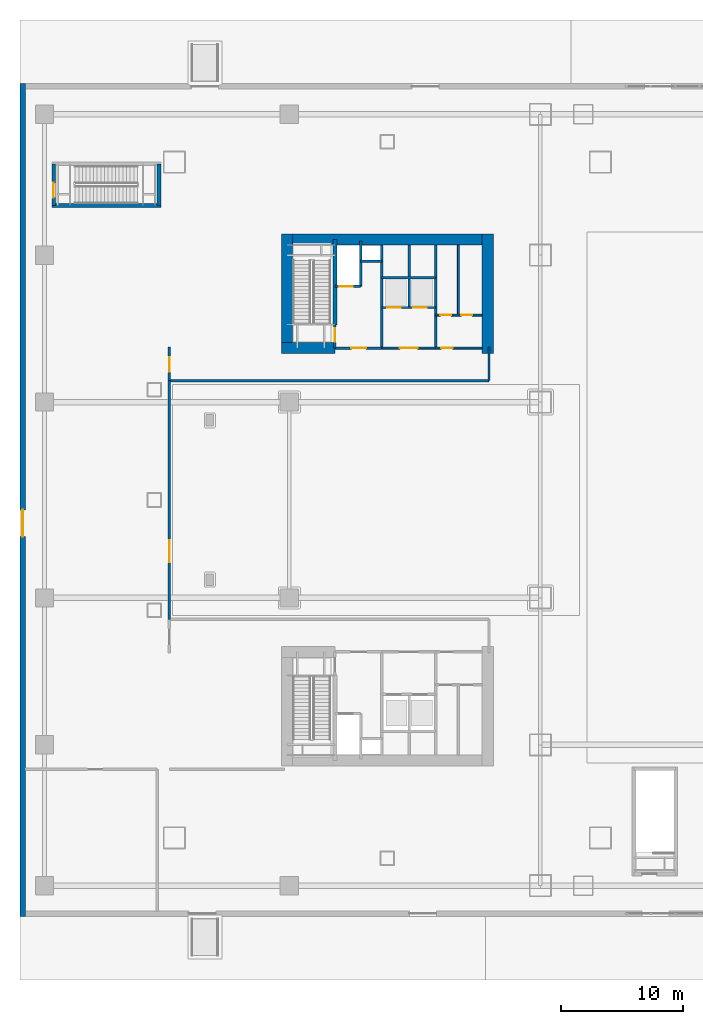
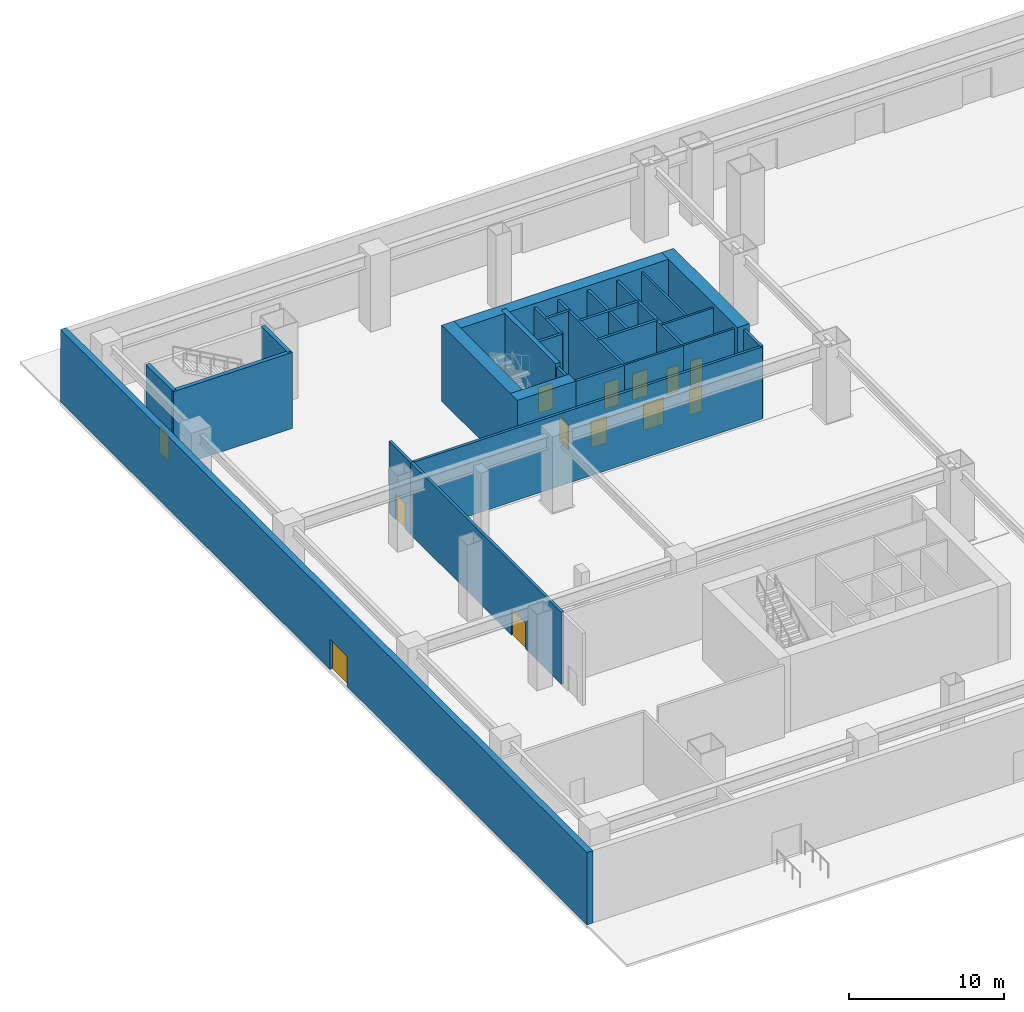
# One storey, part 15 of 31: 27 walls, 13 doors, 13 openings.
"""IFC4 building model written with IfcOpenShell, lengths in metres."""

from ifc_helpers import new_model, si_unit, direction, frame, frame_2d, origin, place, context, subcontext, project, spatial, rectangle, extrude, material, layer, layer_set, type_object, element, fill, save


model = new_model("IFC4")

# Units and contexts
model_context = context("Model", 3, precision=1e-05, world=origin(), true_north=direction((0.0, 1.0)))
body_context = subcontext(model_context, "Body", "Model", "MODEL_VIEW")
ifc_project = project(units=[si_unit("LENGTHUNIT", "METRE"), si_unit("AREAUNIT", "SQUARE_METRE"), si_unit("VOLUMEUNIT", "CUBIC_METRE"), si_unit("PLANEANGLEUNIT", "RADIAN"), si_unit("MASSUNIT", "GRAM", prefix="KILO")], contexts=[model_context])

# Site, building, storey
site_placement = place(None, origin())
site = spatial("IfcSite", under=ifc_project, at=site_placement, CompositionType="ELEMENT")
building_placement = place(site_placement, origin())
building = spatial("IfcBuilding", under=site, at=building_placement, Name="Qiaolan Cultural Towers", CompositionType="ELEMENT")
storey_placement = place(building_placement, origin())
storey = spatial("IfcBuildingStorey", under=building, at=storey_placement, Name="L00", CompositionType="ELEMENT", Elevation=0.0)

# Walls
ifc_material_1 = material(Name="Concrete C50", Category="concrete")
ifc_layer_1 = layer(ifc_material_1, 0.35009765625)
ifc_layer_set_1 = layer_set([ifc_layer_1], Name="Concrete C50")
wall_type_1 = type_object("IfcWallType", Name="WL-CORE-350", PredefinedType="SHEAR", material=ifc_layer_set_1)
wall_1_placement = place(storey_placement, frame((25.719970703125, 48.300048828125, 0.0), z_axis=(0.0, 0.0, 1.0), x_axis=(0.0, 1.0, 0.0)))
element("IfcWall", 1, at=wall_1_placement, inside=storey, type_object=wall_type_1, Name="L00 T1-CN Stair Core Dividing Web", PredefinedType="SHEAR", context=body_context, shape_type="SweptSolid", body=[
    extrude(rectangle(XDim=6.97998046875, YDim=0.35009765625, at=frame_2d((3.489990234375, 0.0))), origin(), (0.0, 0.0, 1.0), 6.0),
])
wall_2_placement = place(storey_placement, frame((2.60009765625, 58.050048828125, 0.0), z_axis=(0.0, 0.0, 1.0), x_axis=(1.0, 0.0, 0.0)))
element("IfcWall", 2, at=wall_2_placement, inside=storey, type_object=wall_type_1, Name="L00 STP1 Stair Shaft Wall S", PredefinedType="SHEAR", context=body_context, shape_type="SweptSolid", body=[
    extrude(rectangle(XDim=8.89990234375, YDim=0.300048828125, at=frame_2d((4.449951171875, 0.0))), origin(), (0.0, 0.0, 1.0), 6.0),
])
wall_3_placement = place(storey_placement, frame((11.35009765625, 58.050048828125, 0.0), z_axis=(0.0, 0.0, 1.0), x_axis=(0.0, 1.0, 0.0)))
element("IfcWall", 3, at=wall_3_placement, inside=storey, type_object=wall_type_1, Name="L00 STP1 Stair Shaft Wall E", PredefinedType="SHEAR", context=body_context, shape_type="SweptSolid", body=[
    extrude(rectangle(XDim=3.39990234375, YDim=0.300048828125, at=frame_2d((1.699951171875, 0.0))), origin(), (0.0, 0.0, 1.0), 6.0),
])

# Wall, opening, door
wall_4_placement = place(storey_placement, frame((2.75, 58.050048828125, 0.0), z_axis=(0.0, 0.0, 1.0), x_axis=(0.0, 1.0, 0.0)))
wall_4 = element("IfcWall", 4, at=wall_4_placement, inside=storey, type_object=wall_type_1, Name="L00 STP1 Stair Shaft Wall W", PredefinedType="SHEAR", context=body_context, shape_type="SweptSolid", body=[
    extrude(rectangle(XDim=3.39990234375, YDim=0.300048828125, at=frame_2d((1.699951171875, 0.0))), origin(), (0.0, 0.0, 1.0), 6.0),
])
opening_1_placement = place(wall_4_placement, frame((0.64990234375, 0.0, 0.0)))
opening_1 = element("IfcOpeningElement", 5, at=opening_1_placement, cuts=wall_4, Name="Opening FD-03", PredefinedType="OPENING", context=body_context, shape_type="SweptSolid", body=[
    extrude(rectangle(XDim=1.199951171875, YDim=2.050048828125, at=frame_2d((0.60009765625, 1.02490234375))), frame((0.0, 0.159912109375, 0.0), z_axis=(0.0, -1.0, 0.0), x_axis=(1.0, 0.0, 0.0)), (0.0, 0.0, 1.0), 0.320068359375),
])
ifc_material_2 = material(Name="Galvanized Steel Smokeproof Lobby Fire Door", Category="steel")
door_type_1 = type_object("IfcDoorType", Name="DR-FD90-1200", OperationType="NOTDEFINED", PredefinedType="DOOR", material=ifc_material_2)
door_1_placement = place(opening_1_placement, origin())
door_1 = element("IfcDoor", 6, at=door_1_placement, inside=storey, type_object=door_type_1, Name="L00 Exit Stair ST-P1 Fire Door", OperationType="SINGLE_SWING_LEFT", OverallHeight=2.050048828125, OverallWidth=1.199951171875, PredefinedType="DOOR", context=body_context, shape_type="SweptSolid", body=[
    extrude(rectangle(XDim=1.199951171875, YDim=2.050048828125, at=frame_2d((0.60009765625, 1.02490234375))), frame((0.0, 0.02490234375, 0.0), z_axis=(0.0, -1.0, 0.0), x_axis=(1.0, 0.0, 0.0)), (0.0, 0.0, 1.0), 0.050048828125),
])
fill(opening_1, door_1)

# Walls
ifc_material_3 = material(Name="Concrete C60", Category="concrete")
ifc_layer_2 = layer(ifc_material_3, 0.89990234375)
ifc_layer_set_2 = layer_set([ifc_layer_2], Name="Concrete C60")
wall_type_2 = type_object("IfcWallType", Name="WL-CORE-900", PredefinedType="SHEAR", material=ifc_layer_set_2)
wall_5_placement = place(storey_placement, frame((21.35009765625, 55.280029296875, 0.0), z_axis=(0.0, 0.0, 1.0), x_axis=(1.0, 0.0, 0.0)))
element("IfcWall", 7, at=wall_5_placement, inside=storey, type_object=wall_type_2, Name="L00 T1-CN Outer Core Shear Wall", PredefinedType="SHEAR", context=body_context, shape_type="SweptSolid", body=[
    extrude(rectangle(XDim=17.2998046875, YDim=0.89990234375, at=frame_2d((8.64990234375, 0.0))), origin(), (0.0, 0.0, 1.0), 6.0),
])
for number, where, z_axis, x_axis, name in (
    (8, (21.800048828125, 45.949951171875, 0.0), (0.0, 0.0, 1.0), (0.0, 1.0, 0.0), "L00 T1-CN West Core Shear Wall"),
    (9, (38.199951171875, 45.949951171875, 0.0), (0.0, 0.0, 1.0), (0.0, 1.0, 0.0), "L00 T1-CN East Core Shear Wall"),
):
    element("IfcWall", number, at=place(storey_placement, frame(where, z_axis=z_axis, x_axis=x_axis)), inside=storey, type_object=wall_type_2, Name=name, PredefinedType="SHEAR", context=body_context, shape_type="SweptSolid", body=[
        extrude(rectangle(XDim=9.780029296875, YDim=0.89990234375, at=frame_2d((4.89013671875, 0.0))), origin(), (0.0, 0.0, 1.0), 6.0),
    ])
wall_6_placement = place(storey_placement, frame((21.35009765625, 46.39990234375, 0.0), z_axis=(0.0, 0.0, 1.0), x_axis=(1.0, 0.0, 0.0)))
element("IfcWall", 10, at=wall_6_placement, inside=storey, type_object=wall_type_2, Name="L00 T1-CN Stair Front Shear Wall", PredefinedType="SHEAR", context=body_context, shape_type="SweptSolid", body=[
    extrude(rectangle(XDim=4.369873046875, YDim=0.89990234375, at=frame_2d((2.18505859375, 0.0))), origin(), (0.0, 0.0, 1.0), 6.0),
])

# Wall, opening, door
ifc_material_4 = material(Name="Precast Concrete C50 Bush-Hammered Granite Pier", Category="masonry")
ifc_layer_3 = layer(ifc_material_4, 0.449951171875)
ifc_layer_set_3 = layer_set([ifc_layer_3], Name="Precast Concrete C50 Bush-Hammered Granite Pier")
wall_type_3 = type_object("IfcWallType", Name="WL-EXT-POD-450", PredefinedType="SOLIDWALL", material=ifc_layer_set_3)
wall_7_placement = place(storey_placement, frame((0.22509765625, 0.0, 0.0), z_axis=(0.0, 0.0, 1.0), x_axis=(0.0, 1.0, 0.0)))
wall_7 = element("IfcWall", 11, at=wall_7_placement, inside=storey, type_object=wall_type_3, Name="L00 Podium Precast Facade Wall WEST", PredefinedType="SOLIDWALL", context=body_context, shape_type="SweptSolid", body=[
    extrude(rectangle(XDim=68.0, YDim=0.449951171875, at=frame_2d((34.0, 0.0))), origin(), (0.0, 0.0, 1.0), 5.699951171875),
])
opening_2_placement = place(wall_7_placement, frame((31.0, 0.0, 0.0)))
opening_2 = element("IfcOpeningElement", 12, at=opening_2_placement, cuts=wall_7, Name="Opening EX-15", PredefinedType="OPENING", context=body_context, shape_type="SweptSolid", body=[
    extrude(rectangle(XDim=2.199951171875, YDim=2.39990234375, at=frame_2d((1.10009765625, 1.199951171875))), frame((0.0, 0.23486328125, 0.0), z_axis=(0.0, -1.0, 0.0), x_axis=(1.0, 0.0, 0.0)), (0.0, 0.0, 1.0), 0.469970703125),
])
ifc_material_5 = material(Name="Anodized Aluminium Framed Tempered Glass Exit Door", Category="aluminium")
door_type_2 = type_object("IfcDoorType", Name="DR-EXIT-2200", OperationType="NOTDEFINED", PredefinedType="DOOR", material=ifc_material_5)
door_2_placement = place(opening_2_placement, origin())
door_2 = element("IfcDoor", 13, at=door_2_placement, inside=storey, type_object=door_type_2, Name="West Plaza Main Entrance Exit Door EX-15", OperationType="SINGLE_SWING_LEFT", OverallHeight=2.39990234375, OverallWidth=2.199951171875, PredefinedType="DOOR", context=body_context, shape_type="SweptSolid", body=[
    extrude(rectangle(XDim=2.199951171875, YDim=2.39990234375, at=frame_2d((1.10009765625, 1.199951171875))), frame((0.0, 0.02490234375, 0.0), z_axis=(0.0, -1.0, 0.0), x_axis=(1.0, 0.0, 0.0)), (0.0, 0.0, 1.0), 0.050048828125),
])
fill(opening_2, door_2)

ifc_material_6 = material(Name="Concrete C35 Fire Wall", Category="concrete")
ifc_layer_4 = layer(ifc_material_6, 0.199951171875)
ifc_layer_set_4 = layer_set([ifc_layer_4], Name="Concrete C35 Fire Wall")
wall_type_4 = type_object("IfcWallType", Name="WL-FIRE-200", PredefinedType="PARTITIONING", material=ifc_layer_set_4)
wall_8_placement = place(storey_placement, frame((25.719970703125, 46.39990234375, 0.0), z_axis=(0.0, 0.0, 1.0), x_axis=(0.0, 1.0, 0.0)))
wall_8 = element("IfcWall", 14, at=wall_8_placement, inside=storey, type_object=wall_type_4, Name="L00 T1-CN Smokeproof Stair Entry Wall", PredefinedType="PARTITIONING", context=body_context, shape_type="SweptSolid", body=[
    extrude(rectangle(XDim=1.900146484375, YDim=0.199951171875, at=frame_2d((0.9501953125, 0.0))), origin(), (0.0, 0.0, 1.0), 5.68505859375),
])
opening_3_placement = place(wall_8_placement, frame((0.52001953125, 0.0, 0.0)))
opening_3 = element("IfcOpeningElement", 15, at=opening_3_placement, cuts=wall_8, Name="Opening FD-04", PredefinedType="OPENING", context=body_context, shape_type="SweptSolid", body=[
    extrude(rectangle(XDim=1.10009765625, YDim=2.050048828125, at=frame_2d((0.550048828125, 1.02490234375))), frame((0.0, 0.10986328125, 0.0), z_axis=(0.0, -1.0, 0.0), x_axis=(1.0, 0.0, 0.0)), (0.0, 0.0, 1.0), 0.219970703125),
])
ifc_material_7 = material(Name="Galvanized Steel Command Fire Door", Category="steel")
door_type_3 = type_object("IfcDoorType", Name="DR-FD90-1100", OperationType="NOTDEFINED", PredefinedType="DOOR", material=ifc_material_7)
door_3_placement = place(opening_3_placement, origin())
door_3 = element("IfcDoor", 16, at=door_3_placement, inside=storey, type_object=door_type_3, Name="L00 ST-W2 Smokeproof Stair Fire Door", OperationType="SINGLE_SWING_LEFT", OverallHeight=2.050048828125, OverallWidth=1.10009765625, PredefinedType="DOOR", context=body_context, shape_type="SweptSolid", body=[
    extrude(rectangle(XDim=1.10009765625, YDim=2.050048828125, at=frame_2d((0.550048828125, 1.02490234375))), frame((0.0, 0.02490234375, 0.0), z_axis=(0.0, -1.0, 0.0), x_axis=(1.0, 0.0, 0.0)), (0.0, 0.0, 1.0), 0.050048828125),
])
fill(opening_3, door_3)

# Wall
wall_9_placement = place(storey_placement, frame((29.550048828125, 46.39990234375, 0.0), z_axis=(0.0, 0.0, 1.0), x_axis=(0.0, 1.0, 0.0)))
element("IfcWall", 17, at=wall_9_placement, inside=storey, type_object=wall_type_4, Name="L00 T1-CN Firefighting Zone Wall", PredefinedType="PARTITIONING", context=body_context, shape_type="SweptSolid", body=[
    extrude(rectangle(XDim=8.43017578125, YDim=0.199951171875, at=frame_2d((4.215087890625, 0.0))), origin(), (0.0, 0.0, 1.0), 5.68505859375),
])

# Wall, opening, door
wall_10_placement = place(storey_placement, frame((25.719970703125, 46.39990234375, 0.0), z_axis=(0.0, 0.0, 1.0), x_axis=(1.0, 0.0, 0.0)))
wall_10 = element("IfcWall", 18, at=wall_10_placement, inside=storey, type_object=wall_type_4, Name="L00 T1-CN Firefighting Lobby Front Wall", PredefinedType="PARTITIONING", context=body_context, shape_type="SweptSolid", body=[
    extrude(rectangle(XDim=3.830078125, YDim=0.199951171875, at=frame_2d((1.9150390625, 0.0))), origin(), (0.0, 0.0, 1.0), 5.68505859375),
])
opening_4_placement = place(wall_10_placement, frame((1.35009765625, 0.0, 0.0)))
opening_4 = element("IfcOpeningElement", 19, at=opening_4_placement, cuts=wall_10, Name="Opening FD-03", PredefinedType="OPENING", context=body_context, shape_type="SweptSolid", body=[
    extrude(rectangle(XDim=1.199951171875, YDim=2.050048828125, at=frame_2d((0.60009765625, 1.02490234375))), frame((0.0, 0.10986328125, 0.0), z_axis=(0.0, -1.0, 0.0), x_axis=(1.0, 0.0, 0.0)), (0.0, 0.0, 1.0), 0.219970703125),
])
door_4_placement = place(opening_4_placement, origin())
door_4 = element("IfcDoor", 20, at=door_4_placement, inside=storey, type_object=door_type_1, Name="L00 FFL-W2 Firefighting Lobby Fire Door", OperationType="SINGLE_SWING_LEFT", OverallHeight=2.050048828125, OverallWidth=1.199951171875, PredefinedType="DOOR", context=body_context, shape_type="SweptSolid", body=[
    extrude(rectangle(XDim=1.199951171875, YDim=2.050048828125, at=frame_2d((0.60009765625, 1.02490234375))), frame((0.0, 0.02490234375, 0.0), z_axis=(0.0, -1.0, 0.0), x_axis=(1.0, 0.0, 0.0)), (0.0, 0.0, 1.0), 0.050048828125),
])
fill(opening_4, door_4)

wall_11_placement = place(storey_placement, frame((25.719970703125, 51.449951171875, 0.0), z_axis=(0.0, 0.0, 1.0), x_axis=(1.0, 0.0, 0.0)))
wall_11 = element("IfcWall", 21, at=wall_11_placement, inside=storey, type_object=wall_type_4, Name="L00 T1-CN Firefighting Shaft Front Wall", PredefinedType="PARTITIONING", context=body_context, shape_type="SweptSolid", body=[
    extrude(rectangle(XDim=2.10009765625, YDim=0.199951171875, at=frame_2d((1.050048828125, 0.0))), origin(), (0.0, 0.0, 1.0), 5.68505859375),
])
opening_5_placement = place(wall_11_placement, frame((0.35009765625, 0.0, 0.0)))
opening_5 = element("IfcOpeningElement", 22, at=opening_5_placement, cuts=wall_11, Name="Opening LD-01", PredefinedType="OPENING", context=body_context, shape_type="SweptSolid", body=[
    extrude(rectangle(XDim=1.10009765625, YDim=2.050048828125, at=frame_2d((0.550048828125, 1.02490234375))), frame((0.0, 0.10986328125, 0.0), z_axis=(0.0, -1.0, 0.0), x_axis=(1.0, 0.0, 0.0)), (0.0, 0.0, 1.0), 0.219970703125),
])
ifc_material_8 = material(Name="Brushed Stainless Steel S30408 Centre-Parting Lift Landing Door", Category="steel")
door_type_4 = type_object("IfcDoorType", Name="DR-LIFT-1100", OperationType="NOTDEFINED", PredefinedType="DOOR", material=ifc_material_8)
door_5_placement = place(opening_5_placement, origin())
door_5 = element("IfcDoor", 23, at=door_5_placement, inside=storey, type_object=door_type_4, Name="L00 FFL-W2 Firefighting Lift Landing Door", OperationType="DOUBLE_DOOR_SLIDING", OverallHeight=2.050048828125, OverallWidth=1.10009765625, PredefinedType="DOOR", context=body_context, shape_type="SweptSolid", body=[
    extrude(rectangle(XDim=1.10009765625, YDim=2.050048828125, at=frame_2d((0.550048828125, 1.02490234375))), frame((0.0, 0.02490234375, 0.0), z_axis=(0.0, -1.0, 0.0), x_axis=(1.0, 0.0, 0.0)), (0.0, 0.0, 1.0), 0.050048828125),
])
fill(opening_5, door_5)

# Walls
wall_12_placement = place(storey_placement, frame((27.820068359375, 51.449951171875, 0.0), z_axis=(0.0, 0.0, 1.0), x_axis=(0.0, 1.0, 0.0)))
element("IfcWall", 24, at=wall_12_placement, inside=storey, type_object=wall_type_4, Name="L00 T1-CN Firefighting Hoistway East Wall", PredefinedType="PARTITIONING", context=body_context, shape_type="SweptSolid", body=[
    extrude(rectangle(XDim=3.699951171875, YDim=0.199951171875, at=frame_2d((1.85009765625, 0.0))), origin(), (0.0, 0.0, 1.0), 5.68505859375),
])
wall_13_placement = place(storey_placement, frame((27.820068359375, 53.47998046875, 0.0), z_axis=(0.0, 0.0, 1.0), x_axis=(1.0, 0.0, 0.0)))
element("IfcWall", 25, at=wall_13_placement, inside=storey, type_object=wall_type_4, Name="L00 T1-CN Pressurization Shaft Front Wall", PredefinedType="PARTITIONING", context=body_context, shape_type="SweptSolid", body=[
    extrude(rectangle(XDim=1.72998046875, YDim=0.199951171875, at=frame_2d((0.864990234375, 0.0))), origin(), (0.0, 0.0, 1.0), 5.68505859375),
])
wall_14_placement = place(storey_placement, frame((33.949951171875, 46.39990234375, 0.0), z_axis=(0.0, 0.0, 1.0), x_axis=(0.0, 1.0, 0.0)))
element("IfcWall", 26, at=wall_14_placement, inside=storey, type_object=wall_type_4, Name="L00 T1-CN Lift Core East Wall", PredefinedType="PARTITIONING", context=body_context, shape_type="SweptSolid", body=[
    extrude(rectangle(XDim=8.43017578125, YDim=0.199951171875, at=frame_2d((4.215087890625, 0.0))), origin(), (0.0, 0.0, 1.0), 5.68505859375),
])

# Wall, openings, doors
wall_15_placement = place(storey_placement, frame((29.550048828125, 49.719970703125, 0.0), z_axis=(0.0, 0.0, 1.0), x_axis=(1.0, 0.0, 0.0)))
wall_15 = element("IfcWall", 27, at=wall_15_placement, inside=storey, type_object=wall_type_4, Name="L00 T1-CN Passenger Lift Shaft Front Wall", PredefinedType="PARTITIONING", context=body_context, shape_type="SweptSolid", body=[
    extrude(rectangle(XDim=4.39990234375, YDim=0.199951171875, at=frame_2d((2.199951171875, 0.0))), origin(), (0.0, 0.0, 1.0), 5.68505859375),
])
opening_6_placement = place(wall_15_placement, frame((0.449951171875, 0.0, 0.0)))
opening_6 = element("IfcOpeningElement", 28, at=opening_6_placement, cuts=wall_15, Name="Opening LD-01", PredefinedType="OPENING", context=body_context, shape_type="SweptSolid", body=[
    extrude(rectangle(XDim=1.10009765625, YDim=2.050048828125, at=frame_2d((0.550048828125, 1.02490234375))), frame((0.0, 0.10986328125, 0.0), z_axis=(0.0, -1.0, 0.0), x_axis=(1.0, 0.0, 0.0)), (0.0, 0.0, 1.0), 0.219970703125),
])
opening_7_placement = place(wall_15_placement, frame((2.550048828125, 0.0, 0.0)))
opening_7 = element("IfcOpeningElement", 29, at=opening_7_placement, cuts=wall_15, Name="Opening LD-01", PredefinedType="OPENING", context=body_context, shape_type="SweptSolid", body=[
    extrude(rectangle(XDim=1.10009765625, YDim=2.050048828125, at=frame_2d((0.550048828125, 1.02490234375))), frame((0.0, 0.10986328125, 0.0), z_axis=(0.0, -1.0, 0.0), x_axis=(1.0, 0.0, 0.0)), (0.0, 0.0, 1.0), 0.219970703125),
])
door_6_placement = place(opening_6_placement, origin())
door_6 = element("IfcDoor", 30, at=door_6_placement, inside=storey, type_object=door_type_4, Name="L00 Passenger Lift 1 Landing Door", OperationType="DOUBLE_DOOR_SLIDING", OverallHeight=2.050048828125, OverallWidth=1.10009765625, PredefinedType="DOOR", context=body_context, shape_type="SweptSolid", body=[
    extrude(rectangle(XDim=1.10009765625, YDim=2.050048828125, at=frame_2d((0.550048828125, 1.02490234375))), frame((0.0, 0.02490234375, 0.0), z_axis=(0.0, -1.0, 0.0), x_axis=(1.0, 0.0, 0.0)), (0.0, 0.0, 1.0), 0.050048828125),
])
fill(opening_6, door_6)
door_7_placement = place(opening_7_placement, origin())
door_7 = element("IfcDoor", 31, at=door_7_placement, inside=storey, type_object=door_type_4, Name="L00 Passenger Lift 2 Landing Door", OperationType="DOUBLE_DOOR_SLIDING", OverallHeight=2.050048828125, OverallWidth=1.10009765625, PredefinedType="DOOR", context=body_context, shape_type="SweptSolid", body=[
    extrude(rectangle(XDim=1.10009765625, YDim=2.050048828125, at=frame_2d((0.550048828125, 1.02490234375))), frame((0.0, 0.02490234375, 0.0), z_axis=(0.0, -1.0, 0.0), x_axis=(1.0, 0.0, 0.0)), (0.0, 0.0, 1.0), 0.050048828125),
])
fill(opening_7, door_7)

# Walls
wall_16_placement = place(storey_placement, frame((31.780029296875, 49.719970703125, 0.0), z_axis=(0.0, 0.0, 1.0), x_axis=(0.0, 1.0, 0.0)))
element("IfcWall", 32, at=wall_16_placement, inside=storey, type_object=wall_type_4, Name="L00 T1-CN Lift Shaft Divider Wall", PredefinedType="PARTITIONING", context=body_context, shape_type="SweptSolid", body=[
    extrude(rectangle(XDim=5.110107421875, YDim=0.199951171875, at=frame_2d((2.55517578125, 0.0))), origin(), (0.0, 0.0, 1.0), 5.68505859375),
])
wall_17_placement = place(storey_placement, frame((29.550048828125, 52.14990234375, 0.0), z_axis=(0.0, 0.0, 1.0), x_axis=(1.0, 0.0, 0.0)))
element("IfcWall", 33, at=wall_17_placement, inside=storey, type_object=wall_type_4, Name="L00 T1-CN Passenger Lift Shaft Back Wall", PredefinedType="PARTITIONING", context=body_context, shape_type="SweptSolid", body=[
    extrude(rectangle(XDim=4.39990234375, YDim=0.199951171875, at=frame_2d((2.199951171875, 0.0))), origin(), (0.0, 0.0, 1.0), 5.68505859375),
])

# Wall, opening, door
wall_18_placement = place(storey_placement, frame((12.199951171875, 43.75, 0.0), z_axis=(0.0, 0.0, 1.0), x_axis=(0.0, 1.0, 0.0)))
wall_18 = element("IfcWall", 34, at=wall_18_placement, inside=storey, type_object=wall_type_4, Name="L00 Podium Partition L00-W2-PASW", PredefinedType="PARTITIONING", context=body_context, shape_type="SweptSolid", body=[
    extrude(rectangle(XDim=2.75, YDim=0.199951171875, at=frame_2d((1.375, 0.0))), origin(), (0.0, 0.0, 1.0), 5.68505859375),
])
opening_8_placement = place(wall_18_placement, frame((0.719970703125, 0.0, 0.0)))
opening_8 = element("IfcOpeningElement", 35, at=opening_8_placement, cuts=wall_18, Name="Opening FD-03", PredefinedType="OPENING", context=body_context, shape_type="SweptSolid", body=[
    extrude(rectangle(XDim=1.199951171875, YDim=2.050048828125, at=frame_2d((0.60009765625, 1.02490234375))), frame((0.0, 0.10986328125, 0.0), z_axis=(0.0, -1.0, 0.0), x_axis=(1.0, 0.0, 0.0)), (0.0, 0.0, 1.0), 0.219970703125),
])
door_8_placement = place(opening_8_placement, origin())
door_8 = element("IfcDoor", 36, at=door_8_placement, inside=storey, type_object=door_type_1, Name="ST-W2 Protected Exit Passageway Fire Door", OperationType="SINGLE_SWING_RIGHT", OverallHeight=2.050048828125, OverallWidth=1.199951171875, PredefinedType="DOOR", context=body_context, shape_type="SweptSolid", body=[
    extrude(rectangle(XDim=1.199951171875, YDim=2.050048828125, at=frame_2d((0.60009765625, 1.02490234375))), frame((0.0, 0.02490234375, 0.0), z_axis=(0.0, -1.0, 0.0), x_axis=(1.0, 0.0, 0.0)), (0.0, 0.0, 1.0), 0.050048828125),
])
fill(opening_8, door_8)

# Walls
wall_19_placement = place(storey_placement, frame((12.199951171875, 43.75, 0.0), z_axis=(0.0, 0.0, 1.0), x_axis=(1.0, 0.0, 0.0)))
element("IfcWall", 37, at=wall_19_placement, inside=storey, type_object=wall_type_4, Name="L00 Podium Partition L00-W2-PASS", PredefinedType="PARTITIONING", context=body_context, shape_type="SweptSolid", body=[
    extrude(rectangle(XDim=26.10009765625, YDim=0.199951171875, at=frame_2d((13.050048828125, 0.0))), origin(), (0.0, 0.0, 1.0), 5.68505859375),
])
wall_20_placement = place(storey_placement, frame((38.300048828125, 43.75, 0.0), z_axis=(0.0, 0.0, 1.0), x_axis=(0.0, 1.0, 0.0)))
element("IfcWall", 38, at=wall_20_placement, inside=storey, type_object=wall_type_4, Name="L00 Podium Partition L00-W2-PASE", PredefinedType="PARTITIONING", context=body_context, shape_type="SweptSolid", body=[
    extrude(rectangle(XDim=2.75, YDim=0.199951171875, at=frame_2d((1.375, 0.0))), origin(), (0.0, 0.0, 1.0), 5.68505859375),
])

# Wall, opening, door
wall_21_placement = place(storey_placement, frame((12.199951171875, 24.25, 0.0), z_axis=(0.0, 0.0, 1.0), x_axis=(0.0, 1.0, 0.0)))
wall_21 = element("IfcWall", 39, at=wall_21_placement, inside=storey, type_object=wall_type_4, Name="L00 Podium Partition L00-WLOB-W", PredefinedType="PARTITIONING", context=body_context, shape_type="SweptSolid", body=[
    extrude(rectangle(XDim=19.5, YDim=0.199951171875, at=frame_2d((9.75, 0.0))), origin(), (0.0, 0.0, 1.0), 5.68505859375),
])
opening_9_placement = place(wall_21_placement, frame((4.64990234375, 0.0, 0.0)))
opening_9 = element("IfcOpeningElement", 40, at=opening_9_placement, cuts=wall_21, Name="Opening FD-01", PredefinedType="OPENING", context=body_context, shape_type="SweptSolid", body=[
    extrude(rectangle(XDim=1.800048828125, YDim=2.050048828125, at=frame_2d((0.89990234375, 1.02490234375))), frame((0.0, 0.10986328125, 0.0), z_axis=(0.0, -1.0, 0.0), x_axis=(1.0, 0.0, 0.0)), (0.0, 0.0, 1.0), 0.219970703125),
])
ifc_material_9 = material(Name="Galvanized Steel Acoustic Fire Door", Category="steel")
door_type_5 = type_object("IfcDoorType", Name="DR-FD90-1800", OperationType="NOTDEFINED", PredefinedType="DOOR", material=ifc_material_9)
door_9_placement = place(opening_9_placement, origin())
door_9 = element("IfcDoor", 41, at=door_9_placement, inside=storey, type_object=door_type_5, Name="West Tower Lobby Main West Exit Door", OperationType="SINGLE_SWING_LEFT", OverallHeight=2.050048828125, OverallWidth=1.800048828125, PredefinedType="DOOR", context=body_context, shape_type="SweptSolid", body=[
    extrude(rectangle(XDim=1.800048828125, YDim=2.050048828125, at=frame_2d((0.89990234375, 1.02490234375))), frame((0.0, 0.02490234375, 0.0), z_axis=(0.0, -1.0, 0.0), x_axis=(1.0, 0.0, 0.0)), (0.0, 0.0, 1.0), 0.050048828125),
])
fill(opening_9, door_9)

ifc_material_10 = material(Name="Autoclaved Aerated Concrete Block B06", Category="concrete")
ifc_layer_5 = layer(ifc_material_10, 0.14990234375)
ifc_layer_set_5 = layer_set([ifc_layer_5], Name="Autoclaved Aerated Concrete Block B06")
wall_type_5 = type_object("IfcWallType", Name="WL-PART-150", PredefinedType="PARTITIONING", material=ifc_layer_set_5)
wall_22_placement = place(storey_placement, frame((29.550048828125, 46.39990234375, 0.0), z_axis=(0.0, 0.0, 1.0), x_axis=(1.0, 0.0, 0.0)))
wall_22 = element("IfcWall", 42, at=wall_22_placement, inside=storey, type_object=wall_type_5, Name="L00 T1-CN Passenger Lift Lobby Front Wall", PredefinedType="PARTITIONING", context=body_context, shape_type="SweptSolid", body=[
    extrude(rectangle(XDim=4.39990234375, YDim=0.14990234375, at=frame_2d((2.199951171875, 0.0))), origin(), (0.0, 0.0, 1.0), 5.68505859375),
])
opening_10_placement = place(wall_22_placement, frame((1.449951171875, 0.0, 0.0)))
opening_10 = element("IfcOpeningElement", 43, at=opening_10_placement, cuts=wall_22, Name="Opening FD-05", PredefinedType="OPENING", context=body_context, shape_type="SweptSolid", body=[
    extrude(rectangle(XDim=1.5, YDim=2.050048828125, at=frame_2d((0.75, 1.02490234375))), frame((0.0, 0.0849609375, 0.0), z_axis=(0.0, -1.0, 0.0), x_axis=(1.0, 0.0, 0.0)), (0.0, 0.0, 1.0), 0.169921875),
])
ifc_material_11 = material(Name="Painted Steel Lift Lobby Fire Door", Category="steel")
door_type_6 = type_object("IfcDoorType", Name="DR-FD60-1500", OperationType="NOTDEFINED", PredefinedType="DOOR", material=ifc_material_11)
door_10_placement = place(opening_10_placement, origin())
door_10 = element("IfcDoor", 44, at=door_10_placement, inside=storey, type_object=door_type_6, Name="L00 Passenger Lift Lobby Entrance", OperationType="SINGLE_SWING_LEFT", OverallHeight=2.050048828125, OverallWidth=1.5, PredefinedType="DOOR", context=body_context, shape_type="SweptSolid", body=[
    extrude(rectangle(XDim=1.5, YDim=2.050048828125, at=frame_2d((0.75, 1.02490234375))), frame((0.0, 0.02490234375, 0.0), z_axis=(0.0, -1.0, 0.0), x_axis=(1.0, 0.0, 0.0)), (0.0, 0.0, 1.0), 0.050048828125),
])
fill(opening_10, door_10)

wall_23_placement = place(storey_placement, frame((33.949951171875, 46.39990234375, 0.0), z_axis=(0.0, 0.0, 1.0), x_axis=(1.0, 0.0, 0.0)))
wall_23 = element("IfcWall", 45, at=wall_23_placement, inside=storey, type_object=wall_type_5, Name="L00 T1-CN Sanitary Core Front Wall", PredefinedType="PARTITIONING", context=body_context, shape_type="SweptSolid", body=[
    extrude(rectangle(XDim=3.800048828125, YDim=0.14990234375, at=frame_2d((1.89990234375, 0.0))), origin(), (0.0, 0.0, 1.0), 5.68505859375),
])
opening_11_placement = place(wall_23_placement, frame((0.449951171875, 0.0, 0.0)))
opening_11 = element("IfcOpeningElement", 46, at=opening_11_placement, cuts=wall_23, Name="Opening ID-05", PredefinedType="OPENING", context=body_context, shape_type="SweptSolid", body=[
    extrude(rectangle(XDim=0.949951171875, YDim=2.050048828125, at=frame_2d((0.47509765625, 1.02490234375))), frame((0.0, 0.0849609375, 0.0), z_axis=(0.0, -1.0, 0.0), x_axis=(1.0, 0.0, 0.0)), (0.0, 0.0, 1.0), 0.169921875),
])
ifc_material_12 = material(Name="Fire-Rated Laminate Accessible Core Door", Category="timber")
door_type_7 = type_object("IfcDoorType", Name="DR-INT-950", OperationType="NOTDEFINED", PredefinedType="DOOR", material=ifc_material_12)
door_11_placement = place(opening_11_placement, origin())
door_11 = element("IfcDoor", 47, at=door_11_placement, inside=storey, type_object=door_type_7, Name="L00 Sanitary Vestibule Door", OperationType="SINGLE_SWING_LEFT", OverallHeight=2.050048828125, OverallWidth=0.949951171875, PredefinedType="DOOR", context=body_context, shape_type="SweptSolid", body=[
    extrude(rectangle(XDim=0.949951171875, YDim=2.050048828125, at=frame_2d((0.47509765625, 1.02490234375))), frame((0.0, 0.02490234375, 0.0), z_axis=(0.0, -1.0, 0.0), x_axis=(1.0, 0.0, 0.0)), (0.0, 0.0, 1.0), 0.050048828125),
])
fill(opening_11, door_11)

# Wall, openings, doors
wall_24_placement = place(storey_placement, frame((33.949951171875, 49.10009765625, 0.0), z_axis=(0.0, 0.0, 1.0), x_axis=(1.0, 0.0, 0.0)))
wall_24 = element("IfcWall", 48, at=wall_24_placement, inside=storey, type_object=wall_type_5, Name="L00 T1-CN Restroom Vestibule Wall", PredefinedType="PARTITIONING", context=body_context, shape_type="SweptSolid", body=[
    extrude(rectangle(XDim=3.800048828125, YDim=0.14990234375, at=frame_2d((1.89990234375, 0.0))), origin(), (0.0, 0.0, 1.0), 5.68505859375),
])
opening_12_placement = place(wall_24_placement, frame((0.35009765625, 0.0, 0.0)))
opening_12 = element("IfcOpeningElement", 49, at=opening_12_placement, cuts=wall_24, Name="Opening ID-06", PredefinedType="OPENING", context=body_context, shape_type="SweptSolid", body=[
    extrude(rectangle(XDim=0.89990234375, YDim=2.050048828125, at=frame_2d((0.449951171875, 1.02490234375))), frame((0.0, 0.0849609375, 0.0), z_axis=(0.0, -1.0, 0.0), x_axis=(1.0, 0.0, 0.0)), (0.0, 0.0, 1.0), 0.169921875),
])
opening_13_placement = place(wall_24_placement, frame((2.10009765625, 0.0, 0.0)))
opening_13 = element("IfcOpeningElement", 50, at=opening_13_placement, cuts=wall_24, Name="Opening ID-06", PredefinedType="OPENING", context=body_context, shape_type="SweptSolid", body=[
    extrude(rectangle(XDim=0.89990234375, YDim=2.050048828125, at=frame_2d((0.449951171875, 1.02490234375))), frame((0.0, 0.0849609375, 0.0), z_axis=(0.0, -1.0, 0.0), x_axis=(1.0, 0.0, 0.0)), (0.0, 0.0, 1.0), 0.169921875),
])
ifc_material_13 = material(Name="Fire-Rated Laminate Core Service Door", Category="timber")
door_type_8 = type_object("IfcDoorType", Name="DR-INT-900", OperationType="NOTDEFINED", PredefinedType="DOOR", material=ifc_material_13)
door_12_placement = place(opening_12_placement, origin())
door_12 = element("IfcDoor", 51, at=door_12_placement, inside=storey, type_object=door_type_8, Name="L00 Men Restroom Door", OperationType="SINGLE_SWING_LEFT", OverallHeight=2.050048828125, OverallWidth=0.89990234375, PredefinedType="DOOR", context=body_context, shape_type="SweptSolid", body=[
    extrude(rectangle(XDim=0.89990234375, YDim=2.050048828125, at=frame_2d((0.449951171875, 1.02490234375))), frame((0.0, 0.02490234375, 0.0), z_axis=(0.0, -1.0, 0.0), x_axis=(1.0, 0.0, 0.0)), (0.0, 0.0, 1.0), 0.050048828125),
])
fill(opening_12, door_12)
door_13_placement = place(opening_13_placement, origin())
door_13 = element("IfcDoor", 52, at=door_13_placement, inside=storey, type_object=door_type_8, Name="L00 Accessible & Women Restroom Door", OperationType="SINGLE_SWING_RIGHT", OverallHeight=2.050048828125, OverallWidth=0.89990234375, PredefinedType="DOOR", context=body_context, shape_type="SweptSolid", body=[
    extrude(rectangle(XDim=0.89990234375, YDim=2.050048828125, at=frame_2d((0.449951171875, 1.02490234375))), frame((0.0, 0.02490234375, 0.0), z_axis=(0.0, -1.0, 0.0), x_axis=(1.0, 0.0, 0.0)), (0.0, 0.0, 1.0), 0.050048828125),
])
fill(opening_13, door_13)

# Wall
wall_25_placement = place(storey_placement, frame((35.800048828125, 49.10009765625, 0.0), z_axis=(0.0, 0.0, 1.0), x_axis=(0.0, 1.0, 0.0)))
element("IfcWall", 53, at=wall_25_placement, inside=storey, type_object=wall_type_5, Name="L00 T1-CN Restroom Divider Wall", PredefinedType="PARTITIONING", context=body_context, shape_type="SweptSolid", body=[
    extrude(rectangle(XDim=5.72998046875, YDim=0.14990234375, at=frame_2d((2.864990234375, 0.0))), origin(), (0.0, 0.0, 1.0), 5.68505859375),
])

save(model, "model.ifc")
